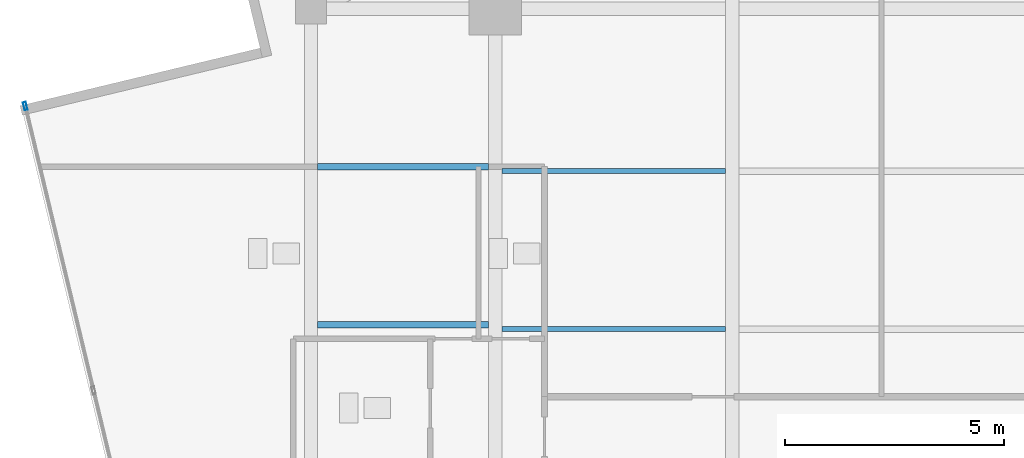
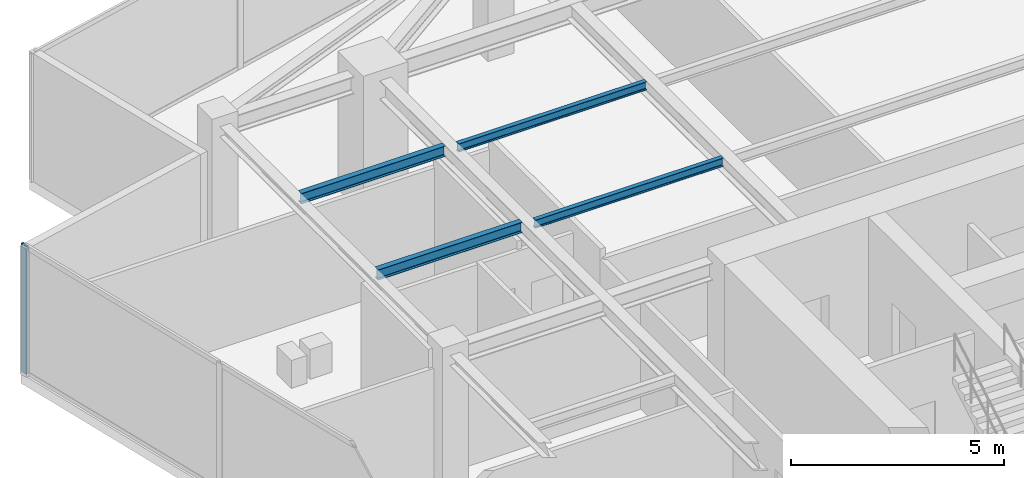
# One storey, part 7 of 22: 4 beams, 1 member, 1 element without a shape of its own.
"""IFC4 building model written with IfcOpenShell, lengths in metres."""

from ifc_helpers import new_model, si_unit, direction, frame, origin, origin_2d, place, context, subcontext, project, spatial, hollow_rectangle, i_section, extrude, source, transform, mapped, material, material_profile, profile_set, type_object, type_shapes, element, aggregate, save


model = new_model("IFC4")

# Units and contexts
model_context = context("Model", 3, precision=1e-05, world=origin(), true_north=direction((0.0, 1.0)))
body_context = subcontext(model_context, "Body", "Model", "MODEL_VIEW")
ifc_project = project(units=[si_unit("LENGTHUNIT", "METRE"), si_unit("AREAUNIT", "SQUARE_METRE"), si_unit("VOLUMEUNIT", "CUBIC_METRE"), si_unit("PLANEANGLEUNIT", "RADIAN"), si_unit("MASSUNIT", "GRAM", prefix="KILO")], contexts=[model_context])

# Site, building, storey
site_placement = place(None, origin())
site = spatial("IfcSite", under=ifc_project, at=site_placement, CompositionType="ELEMENT")
building_placement = place(site_placement, origin())
building = spatial("IfcBuilding", under=site, at=building_placement, Name="Krantzveldt Concourse Tower", CompositionType="ELEMENT")
storey_placement = place(building_placement, frame((0.0, 0.0, 355.35009765625)))
storey = spatial("IfcBuildingStorey", under=building, at=storey_placement, Name="L87", CompositionType="ELEMENT", Elevation=355.35009765625)

# Beams
ifc_material_1 = material(Name="Steel S355JR", Category="steel")
ifc_material_profile_1 = material_profile(ifc_material_1, i_section(OverallWidth=0.1201171875, OverallDepth=0.239990234375, WebThickness=0.006103515625, FlangeThickness=0.009765625, FilletRadius=0.014892578125, at=origin_2d()), Name="Steel S355JR", Category="steel")
ifc_profile_set_1 = profile_set([ifc_material_profile_1], Name="Steel S355JR - IPE 240")
beam_type_1 = type_object("IfcBeamType", Name="BM-LN-IPE240", PredefinedType="LINTEL", material=ifc_profile_set_1)
shared_shape_1 = source(origin(), body_context, "Body", "SweptSolid", [
    extrude(i_section(OverallWidth=0.1201171875, OverallDepth=0.239990234375, WebThickness=0.006103515625, FlangeThickness=0.009765625, FilletRadius=0.014892578125, at=origin_2d()), origin(), (0.0, 0.0, 1.0), 5.099853515625),
])
type_shapes(beam_type_1, [shared_shape_1])
for number, where, z_axis, x_axis, name in (
    (1, (25.35009765625, 30.199951171875, 3.5498046875), (1.0, 0.0, 0.0), (0.0, 1.0, 0.0), "L87 Secondary Floor Joist JN-W1"),
    (2, (25.35009765625, 33.800048828125, 3.5498046875), (1.0, 0.0, 0.0), (0.0, 1.0, 0.0), "L87 Secondary Floor Joist JN-W2"),
):
    element("IfcBeam", number, at=place(storey_placement, frame(where, z_axis=z_axis, x_axis=x_axis)), inside=storey, type_object=beam_type_1, Name=name, PredefinedType="LINTEL", context=body_context, shape_type="MappedRepresentation", body=[
        mapped(shared_shape_1, transform((0.0, 0.0, 0.0), x_axis=(1.0, 0.0, 0.0), y_axis=(0.0, 1.0, 0.0), z_axis=(0.0, 0.0, 1.0), scale=1.0)),
    ])
ifc_material_profile_2 = material_profile(ifc_material_1, i_section(OverallWidth=0.14990234375, OverallDepth=0.300048828125, WebThickness=0.007080078125, FlangeThickness=0.0107421875, FilletRadius=0.014892578125, at=origin_2d()), Name="Steel S355JR", Category="steel")
ifc_profile_set_2 = profile_set([ifc_material_profile_2], Name="Steel S355JR - IPE 300")
beam_type_2 = type_object("IfcBeamType", Name="BM-J-IPE300", PredefinedType="JOIST", material=ifc_profile_set_2)
shared_shape_2 = source(origin(), body_context, "Body", "SweptSolid", [
    extrude(i_section(OverallWidth=0.14990234375, OverallDepth=0.300048828125, WebThickness=0.007080078125, FlangeThickness=0.0107421875, FilletRadius=0.014892578125, at=origin_2d()), origin(), (0.0, 0.0, 1.0), 3.900146484375),
])
type_shapes(beam_type_2, [shared_shape_2])
for number, where, z_axis, x_axis, name in (
    (3, (21.14990234375, 30.300048828125, 3.52001953125), (1.0, 0.0, 0.0), (0.0, 1.0, 0.0), "L87 Secondary Floor Joist JW-3"),
    (4, (21.14990234375, 33.89990234375, 3.52001953125), (1.0, 0.0, 0.0), (0.0, 1.0, 0.0), "L87 Secondary Floor Joist JW-4"),
):
    element("IfcBeam", number, at=place(storey_placement, frame(where, z_axis=z_axis, x_axis=x_axis)), inside=storey, type_object=beam_type_2, Name=name, PredefinedType="JOIST", context=body_context, shape_type="MappedRepresentation", body=[
        mapped(shared_shape_2, transform((0.0, 0.0, 0.0), x_axis=(1.0, 0.0, 0.0), y_axis=(0.0, 1.0, 0.0), z_axis=(0.0, 0.0, 1.0), scale=1.0)),
    ])

# Curtain wall, member
ifc_material_2 = material(Name="Anodised aluminium 6063-T6", Category="aluminium")
curtain_wall_type = type_object("IfcCurtainWallType", Name="CW4", PredefinedType="USERDEFINED", material=ifc_material_2)
curtain_wall_placement = place(storey_placement, origin())
curtain_wall = element("IfcCurtainWall", 5, at=curtain_wall_placement, inside=storey, type_object=curtain_wall_type, Name="CW-L87-F04", ObjectType="UNITISED CURTAIN WALL", PredefinedType="USERDEFINED")
ifc_material_profile_3 = material_profile(ifc_material_2, hollow_rectangle(XDim=0.070068359375, YDim=0.179931640625, WallThickness=0.0048828125, at=origin_2d()), Name="Anodised aluminium 6063-T6", Category="aluminium")
ifc_profile_set_3 = profile_set([ifc_material_profile_3], Name="Anodised aluminium 6063-T6 - ALU-MULL 180x70x5")
member_type = type_object("IfcMemberType", Name="CW-MUL-180", PredefinedType="MULLION", material=ifc_profile_set_3)
shared_shape_3 = source(origin(), body_context, "Body", "SweptSolid", [
    extrude(hollow_rectangle(XDim=0.070068359375, YDim=0.179931640625, WallThickness=0.0048828125, at=origin_2d()), origin(), (0.0, 0.0, 1.0), 3.669921875),
])
type_shapes(member_type, [shared_shape_3])
member_placement = place(storey_placement, frame((14.492431640625, 35.28125, 0.0), z_axis=(0.0, 0.0, 1.0), x_axis=(0.972369896884, 0.233445461796, 0.0)))
member = element("IfcMember", 6, at=member_placement, type_object=member_type, Name="CW-Z56 mullion 1", PredefinedType="MULLION", context=body_context, shape_type="MappedRepresentation", body=[
    mapped(shared_shape_3, transform((0.0, 0.0, 0.0), x_axis=(1.0, 0.0, 0.0), y_axis=(0.0, 1.0, 0.0), z_axis=(0.0, 0.0, 1.0), scale=1.0)),
])
aggregate(curtain_wall, [member])

save(model, "model.ifc")
